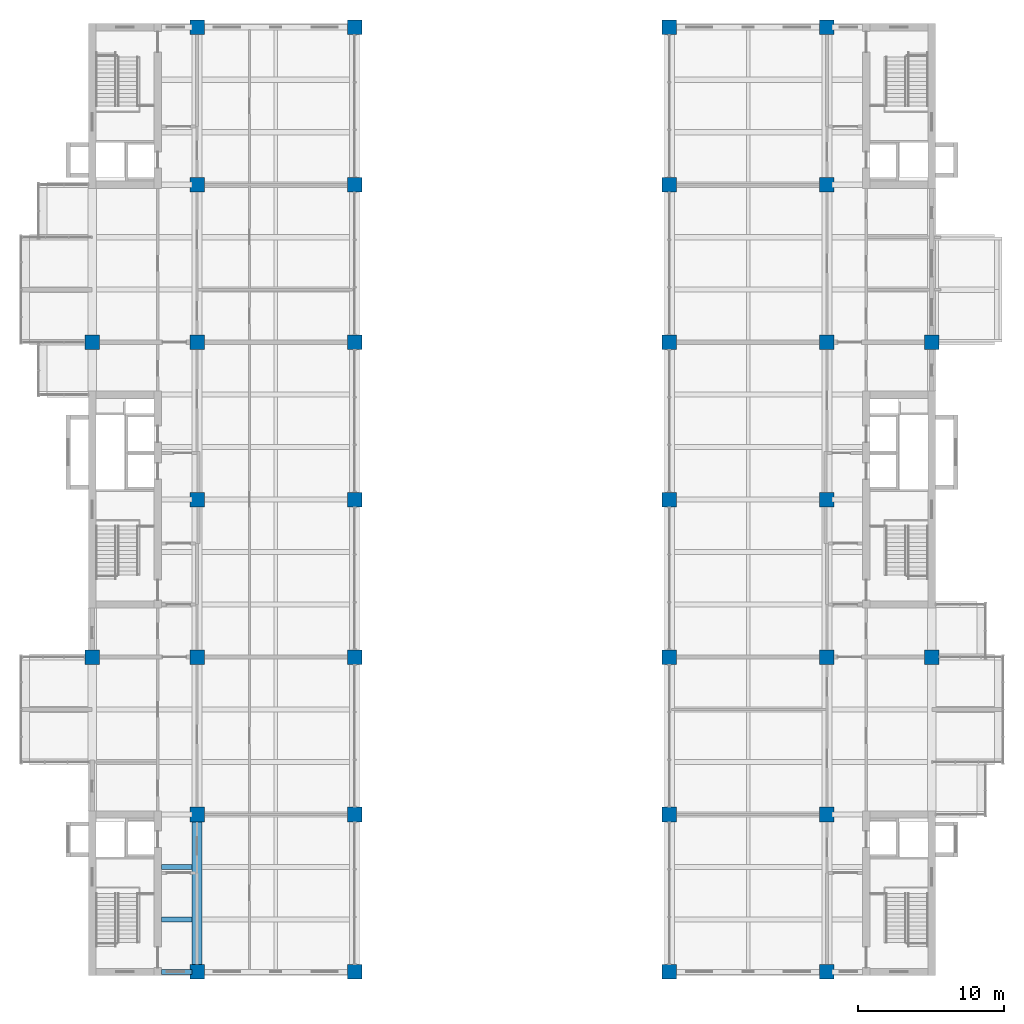
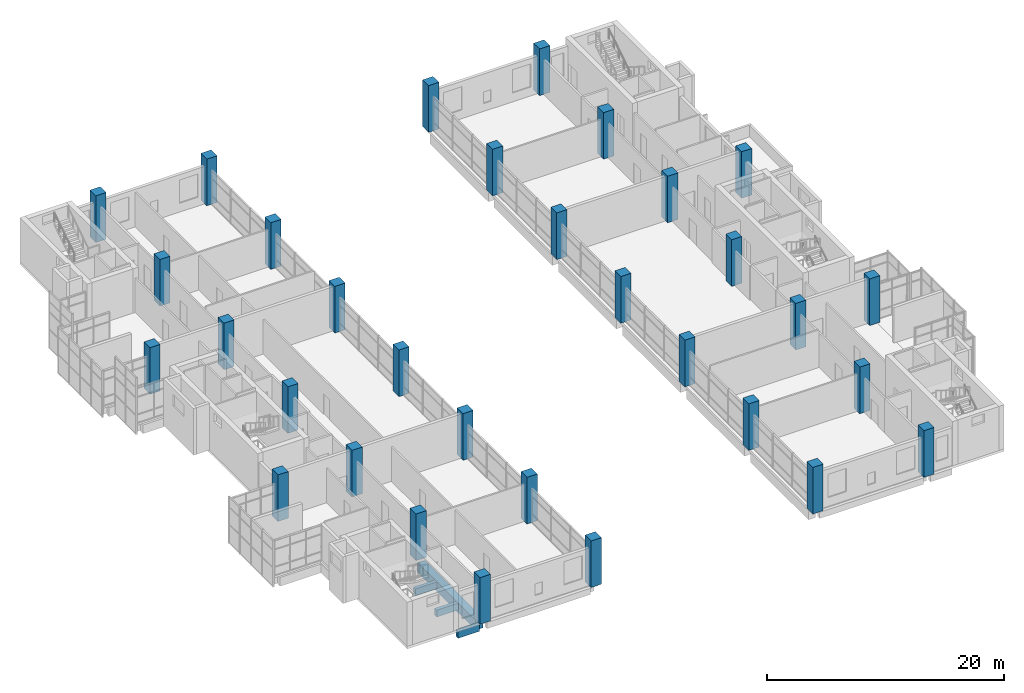
# One storey, part 1 of 30: 32 columns, 4 beams.
"""IFC4 building model written with IfcOpenShell, lengths in metres."""

from ifc_helpers import new_model, si_unit, direction, frame, origin, origin_2d, place, context, subcontext, project, spatial, rectangle, extrude, material, material_profile, profile_set, type_object, element, save


model = new_model("IFC4")

# Units and contexts
model_context = context("Model", 3, precision=1e-05, world=origin(), true_north=direction((0.0, 1.0)))
body_context = subcontext(model_context, "Body", "Model", "MODEL_VIEW")
ifc_project = project(units=[si_unit("LENGTHUNIT", "METRE"), si_unit("AREAUNIT", "SQUARE_METRE"), si_unit("VOLUMEUNIT", "CUBIC_METRE"), si_unit("PLANEANGLEUNIT", "RADIAN"), si_unit("MASSUNIT", "GRAM", prefix="KILO")], contexts=[model_context])

# Site, building, storey
site_placement = place(None, origin())
site = spatial("IfcSite", under=ifc_project, at=site_placement, CompositionType="ELEMENT")
building_placement = place(site_placement, origin())
building = spatial("IfcBuilding", under=site, at=building_placement, Name="Basin Gate Institute", CompositionType="ELEMENT")
storey_placement = place(building_placement, frame((0.0, 0.0, 36.60009765625)))
storey = spatial("IfcBuildingStorey", under=building, at=storey_placement, Name="L07", CompositionType="ELEMENT", Elevation=36.60009765625)

# Columns
ifc_material_1 = material(Name="Concrete 60 MPa", Category="concrete")
ifc_material_profile_1 = material_profile(ifc_material_1, rectangle(XDim=1.0, YDim=1.0, at=origin_2d()), Name="Column C2 1000 x 1000")
ifc_profile_set_1 = profile_set([ifc_material_profile_1], Name="Concrete 60 MPa")
column_type = type_object("IfcColumnType", Name="Column C2 R120", PredefinedType="COLUMN", material=ifc_profile_set_1)
for number, where, z_axis, x_axis, name in (
    (1, (61.199951171875, 56.699951171875, 0.0), (0.0, 0.0, 1.0), (1.0, 0.0, 0.0), "COL/L07/4C"),
    (2, (61.199951171875, 78.300048828125, 0.0), (0.0, 0.0, 1.0), (1.0, 0.0, 0.0), "COL/L07/4E"),
    (3, (68.39990234375, 35.10009765625, 0.0), (0.0, 0.0, 1.0), (1.0, 0.0, 0.0), "COL/L07/5A"),
    (4, (68.39990234375, 45.89990234375, 0.0), (0.0, 0.0, 1.0), (1.0, 0.0, 0.0), "COL/L07/5B"),
    (5, (68.39990234375, 56.699951171875, 0.0), (0.0, 0.0, 1.0), (1.0, 0.0, 0.0), "COL/L07/5C"),
    (6, (68.39990234375, 67.5, 0.0), (0.0, 0.0, 1.0), (1.0, 0.0, 0.0), "COL/L07/5D"),
    (7, (68.39990234375, 78.300048828125, 0.0), (0.0, 0.0, 1.0), (1.0, 0.0, 0.0), "COL/L07/5E"),
    (8, (68.39990234375, 89.10009765625, 0.0), (0.0, 0.0, 1.0), (1.0, 0.0, 0.0), "COL/L07/5F"),
    (9, (68.39990234375, 99.89990234375, 0.0), (0.0, 0.0, 1.0), (1.0, 0.0, 0.0), "COL/L07/5G"),
    (10, (79.199951171875, 35.10009765625, 0.0), (0.0, 0.0, 1.0), (1.0, 0.0, 0.0), "COL/L07/6A"),
    (11, (79.199951171875, 45.89990234375, 0.0), (0.0, 0.0, 1.0), (1.0, 0.0, 0.0), "COL/L07/6B"),
    (12, (79.199951171875, 56.699951171875, 0.0), (0.0, 0.0, 1.0), (1.0, 0.0, 0.0), "COL/L07/6C"),
    (13, (79.199951171875, 67.5, 0.0), (0.0, 0.0, 1.0), (1.0, 0.0, 0.0), "COL/L07/6D"),
    (14, (79.199951171875, 78.300048828125, 0.0), (0.0, 0.0, 1.0), (1.0, 0.0, 0.0), "COL/L07/6E"),
    (15, (79.199951171875, 89.10009765625, 0.0), (0.0, 0.0, 1.0), (1.0, 0.0, 0.0), "COL/L07/6F"),
    (16, (79.199951171875, 99.89990234375, 0.0), (0.0, 0.0, 1.0), (1.0, 0.0, 0.0), "COL/L07/6G"),
    (17, (118.800048828125, 56.699951171875, 0.0), (0.0, 0.0, 1.0), (1.0, 0.0, 0.0), "COL/L07/9C"),
    (18, (118.800048828125, 78.300048828125, 0.0), (0.0, 0.0, 1.0), (1.0, 0.0, 0.0), "COL/L07/9E"),
    (19, (111.60009765625, 35.10009765625, 0.0), (0.0, 0.0, 1.0), (1.0, 0.0, 0.0), "COL/L07/8A"),
    (20, (111.60009765625, 45.89990234375, 0.0), (0.0, 0.0, 1.0), (1.0, 0.0, 0.0), "COL/L07/8B"),
    (21, (111.60009765625, 56.699951171875, 0.0), (0.0, 0.0, 1.0), (1.0, 0.0, 0.0), "COL/L07/8C"),
    (22, (111.60009765625, 67.5, 0.0), (0.0, 0.0, 1.0), (1.0, 0.0, 0.0), "COL/L07/8D"),
    (23, (111.60009765625, 78.300048828125, 0.0), (0.0, 0.0, 1.0), (1.0, 0.0, 0.0), "COL/L07/8E"),
    (24, (111.60009765625, 89.10009765625, 0.0), (0.0, 0.0, 1.0), (1.0, 0.0, 0.0), "COL/L07/8F"),
    (25, (111.60009765625, 99.89990234375, 0.0), (0.0, 0.0, 1.0), (1.0, 0.0, 0.0), "COL/L07/8G"),
    (26, (100.800048828125, 35.10009765625, 0.0), (0.0, 0.0, 1.0), (1.0, 0.0, 0.0), "COL/L07/7A"),
    (27, (100.800048828125, 45.89990234375, 0.0), (0.0, 0.0, 1.0), (1.0, 0.0, 0.0), "COL/L07/7B"),
    (28, (100.800048828125, 56.699951171875, 0.0), (0.0, 0.0, 1.0), (1.0, 0.0, 0.0), "COL/L07/7C"),
    (29, (100.800048828125, 67.5, 0.0), (0.0, 0.0, 1.0), (1.0, 0.0, 0.0), "COL/L07/7D"),
    (30, (100.800048828125, 78.300048828125, 0.0), (0.0, 0.0, 1.0), (1.0, 0.0, 0.0), "COL/L07/7E"),
    (31, (100.800048828125, 89.10009765625, 0.0), (0.0, 0.0, 1.0), (1.0, 0.0, 0.0), "COL/L07/7F"),
    (32, (100.800048828125, 99.89990234375, 0.0), (0.0, 0.0, 1.0), (1.0, 0.0, 0.0), "COL/L07/7G"),
):
    element("IfcColumn", number, at=place(storey_placement, frame(where, z_axis=z_axis, x_axis=x_axis)), inside=storey, type_object=column_type, material=ifc_profile_set_1, Name=name, PredefinedType="COLUMN", context=body_context, shape_type="SweptSolid", body=[
        extrude(rectangle(XDim=1.0, YDim=1.0, at=origin_2d()), origin(), (0.0, 0.0, 1.0), 4.7998046875),
    ])

# Beams
ifc_material_2 = material(Name="Concrete 40 MPa", Category="concrete")
ifc_material_profile_2 = material_profile(ifc_material_2, rectangle(XDim=0.35009765625, YDim=0.699951171875, at=origin_2d()), Name="Beam B1 350 x 700")
ifc_profile_set_2 = profile_set([ifc_material_profile_2], Name="Concrete 40 MPa")
beam_type_1 = type_object("IfcBeamType", Name="Beam B1 R120", PredefinedType="BEAM", material=ifc_profile_set_2)
for number, where, z_axis, x_axis, name in (
    (33, (65.949951171875, 35.10009765625, -0.60009765625), (1.0, 0.0, 0.0), (0.0, 1.0, 0.0), "BEAM/L07/W/CORR/01"),
    (34, (65.949951171875, 38.699951171875, -0.60009765625), (1.0, 0.0, 0.0), (0.0, 1.0, 0.0), "BEAM/L07/W/CORR/02"),
    (35, (65.949951171875, 42.300048828125, -0.60009765625), (1.0, 0.0, 0.0), (0.0, 1.0, 0.0), "BEAM/L07/W/CORR/03"),
):
    element("IfcBeam", number, at=place(storey_placement, frame(where, z_axis=z_axis, x_axis=x_axis)), inside=storey, type_object=beam_type_1, material=ifc_profile_set_2, Name=name, PredefinedType="BEAM", context=body_context, shape_type="SweptSolid", body=[
        extrude(rectangle(XDim=0.35009765625, YDim=0.699951171875, at=origin_2d()), origin(), (0.0, 0.0, 1.0), 2.10009765625),
    ])
ifc_material_3 = material(Name="Concrete 50 MPa", Category="concrete")
ifc_material_profile_3 = material_profile(ifc_material_3, rectangle(XDim=0.699951171875, YDim=1.0, at=origin_2d()), Name="Girder G1 700 x 1000")
ifc_profile_set_3 = profile_set([ifc_material_profile_3], Name="Concrete 50 MPa")
beam_type_2 = type_object("IfcBeamType", Name="Girder G1 R120", PredefinedType="BEAM", material=ifc_profile_set_3)
beam_placement = place(storey_placement, frame((68.39990234375, 35.60009765625, -0.75), z_axis=(0.0, 1.0, 0.0), x_axis=(-1.0, 0.0, 0.0)))
element("IfcBeam", 36, at=beam_placement, inside=storey, type_object=beam_type_2, material=ifc_profile_set_3, Name="GIR/L07/W5/1", PredefinedType="BEAM", context=body_context, shape_type="SweptSolid", body=[
    extrude(rectangle(XDim=0.699951171875, YDim=1.0, at=origin_2d()), origin(), (0.0, 0.0, 1.0), 9.7998046875),
])

save(model, "model.ifc")
